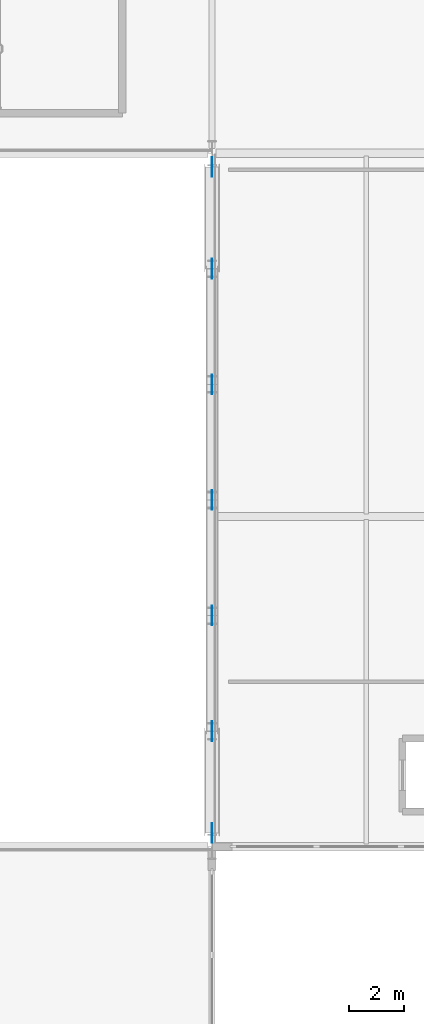
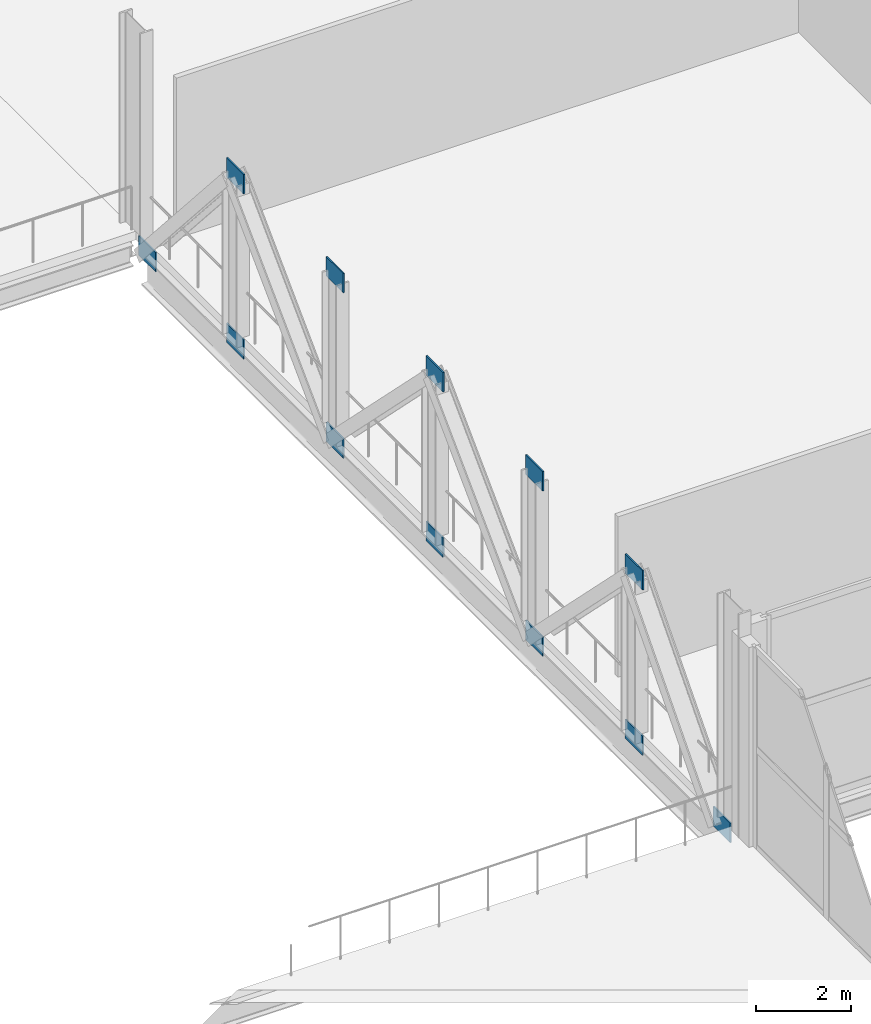
# One storey, part 58 of 84: 12 plates.
"""IFC4 building model written with IfcOpenShell, lengths in metres."""

from ifc_helpers import new_model, si_unit, direction, frame, origin, origin_2d, place, context, subcontext, project, spatial, rectangle, extrude, material, layer, layer_set, type_object, element, save


model = new_model("IFC4")

# Units and contexts
model_context = context("Model", 3, precision=1e-05, world=origin(), true_north=direction((0.0, 1.0)))
body_context = subcontext(model_context, "Body", "Model", "MODEL_VIEW")
ifc_project = project(units=[si_unit("LENGTHUNIT", "METRE"), si_unit("AREAUNIT", "SQUARE_METRE"), si_unit("VOLUMEUNIT", "CUBIC_METRE"), si_unit("PLANEANGLEUNIT", "RADIAN"), si_unit("MASSUNIT", "GRAM", prefix="KILO")], contexts=[model_context])

# Site, building, storey
site_placement = place(None, origin())
site = spatial("IfcSite", under=ifc_project, at=site_placement, CompositionType="ELEMENT")
building_placement = place(site_placement, origin())
building = spatial("IfcBuilding", under=site, at=building_placement, Name="Kimbaza Rail Terminus", CompositionType="ELEMENT")
storey_placement = place(building_placement, frame((0.0, 0.0, 5.39990234375)))
storey = spatial("IfcBuildingStorey", under=building, at=storey_placement, Name="L01", CompositionType="ELEMENT", Elevation=5.39990234375)

# Plates
ifc_material = material(Name="Steel S355", Category="steel")
ifc_layer = layer(ifc_material, 0.034912109375)
ifc_layer_set = layer_set([ifc_layer], Name="Steel S355")
plate_type = type_object("IfcPlateType", Name="STR-PL-WT01", PredefinedType="USERDEFINED", material=ifc_layer_set)
for number, where, z_axis, x_axis, name in (
    (1, (156.0, 59.199951171875, -0.52685546875), (0.0, 0.0, 1.0), (1.0, 0.0, 0.0), "Warren Truss Gusset Plate GP-01 WT-06"),
    (2, (156.0, 59.199951171875, 3.72509765625), (0.0, 0.0, 1.0), (1.0, 0.0, 0.0), "Warren Truss Gusset Plate GP-01 WT-06"),
    (3, (156.0, 63.39990234375, -0.52685546875), (0.0, 0.0, 1.0), (1.0, 0.0, 0.0), "Warren Truss Gusset Plate GP-01 WT-06"),
    (4, (156.0, 63.39990234375, 3.72509765625), (0.0, 0.0, 1.0), (1.0, 0.0, 0.0), "Warren Truss Gusset Plate GP-01 WT-06"),
    (5, (156.0, 67.60009765625, -0.52685546875), (0.0, 0.0, 1.0), (1.0, 0.0, 0.0), "Warren Truss Gusset Plate GP-01 WT-06"),
    (6, (156.0, 67.60009765625, 3.72509765625), (0.0, 0.0, 1.0), (1.0, 0.0, 0.0), "Warren Truss Gusset Plate GP-01 WT-06"),
    (7, (156.0, 71.800048828125, -0.52685546875), (0.0, 0.0, 1.0), (1.0, 0.0, 0.0), "Warren Truss Gusset Plate GP-01 WT-06"),
    (8, (156.0, 71.800048828125, 3.72509765625), (0.0, 0.0, 1.0), (1.0, 0.0, 0.0), "Warren Truss Gusset Plate GP-01 WT-06"),
    (9, (156.0, 76.0, -0.52685546875), (0.0, 0.0, 1.0), (1.0, 0.0, 0.0), "Warren Truss Gusset Plate GP-01 WT-06"),
    (10, (156.0, 76.0, 3.72509765625), (0.0, 0.0, 1.0), (1.0, 0.0, 0.0), "Warren Truss Gusset Plate GP-01 WT-06"),
    (11, (156.0, 55.5, -0.52685546875), (0.0, 0.0, 1.0), (1.0, 0.0, 0.0), "Warren Truss End Gusset Plate GP-01 WT-06"),
    (12, (156.0, 79.699951171875, -0.52685546875), (0.0, 0.0, 1.0), (1.0, 0.0, 0.0), "Warren Truss End Gusset Plate GP-01 WT-06"),
):
    element("IfcPlate", number, at=place(storey_placement, frame(where, z_axis=z_axis, x_axis=x_axis)), inside=storey, type_object=plate_type, Name=name, ObjectType="GUSSET PLATE", PredefinedType="USERDEFINED", context=body_context, shape_type="SweptSolid", body=[
        extrude(rectangle(XDim=0.034912109375, YDim=0.719970703125, at=origin_2d()), origin(), (0.0, 0.0, 1.0), 0.5),
    ])

save(model, "model.ifc")
